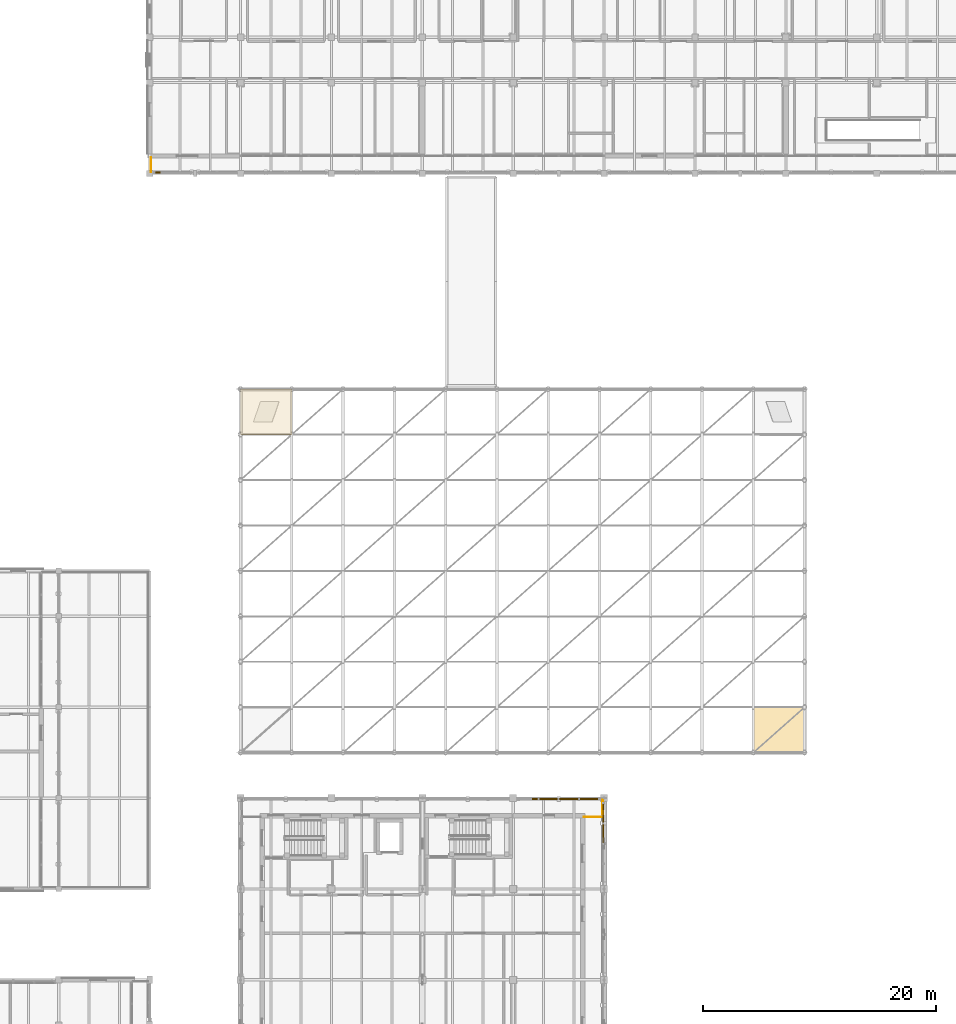
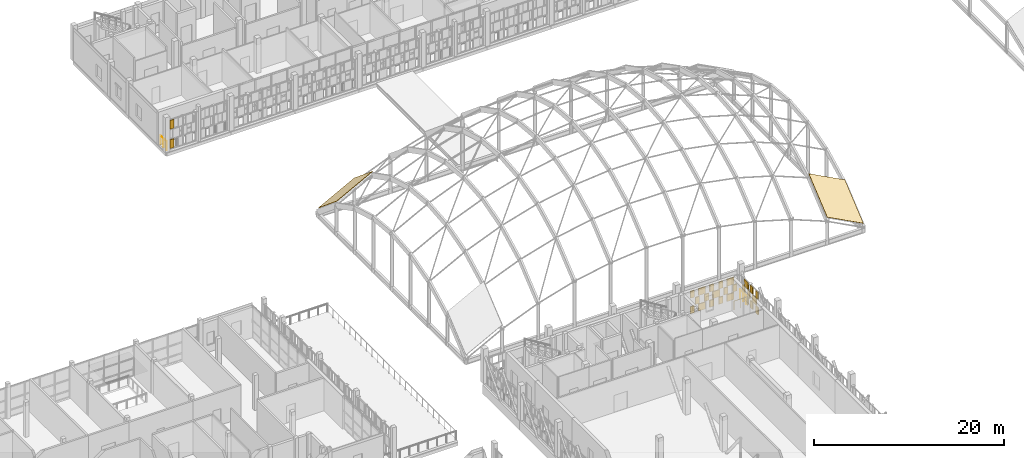
# One storey, part 112 of 119: 28 coverings, 3 railings.
"""IFC4 building model written with IfcOpenShell, lengths in metres."""

from ifc_helpers import new_model, si_unit, direction, frame, origin, origin_2d, place, context, subcontext, project, spatial, polyline, rectangle, circle, outline, extrude, material, layer, layer_set, type_object, element, save


model = new_model("IFC4")

# Units and contexts
model_context = context("Model", 3, precision=1e-05, world=origin(), true_north=direction((0.0, 1.0)))
body_context = subcontext(model_context, "Body", "Model", "MODEL_VIEW")
ifc_project = project(units=[si_unit("LENGTHUNIT", "METRE"), si_unit("AREAUNIT", "SQUARE_METRE"), si_unit("VOLUMEUNIT", "CUBIC_METRE"), si_unit("PLANEANGLEUNIT", "RADIAN"), si_unit("MASSUNIT", "GRAM", prefix="KILO")], contexts=[model_context])

# Site, building, storey
site_placement = place(None, origin())
site = spatial("IfcSite", under=ifc_project, at=site_placement, CompositionType="ELEMENT")
building_placement = place(site_placement, origin())
building = spatial("IfcBuilding", under=site, at=building_placement, Name="Celorna Specialist Clinic", CompositionType="ELEMENT")
storey_placement = place(building_placement, frame((0.0, 0.0, 9.60009765625)))
storey = spatial("IfcBuildingStorey", under=building, at=storey_placement, Name="L02", CompositionType="ELEMENT", Elevation=9.60009765625)

# Railings
ifc_material_1 = material(Name="Stainless steel and laminated glass balustrade", Category="steel")
railing_type = type_object("IfcRailingType", Name="BL-01", PredefinedType="BALUSTRADE", material=ifc_material_1)
railing_1_placement = place(storey_placement, frame((46.919921875, 96.6201171875, 0.0)))
element("IfcRailing", 1, at=railing_1_placement, inside=storey, type_object=railing_type, Name="Outpatient L02 Cloister Veranda perimeter balustrade 1", PredefinedType="BALUSTRADE", context=body_context, shape_type="SweptSolid", body=[
    extrude(circle(Radius=0.02392578125, at=origin_2d()), frame((0.0, 0.0, 1.09619140625), z_axis=(0.0, 1.0, 0.0), x_axis=(-1.0, 0.0, 0.0)), (0.0, 0.0, 1.0), 1.259765625),
    extrude(circle(Radius=0.02099609375, at=origin_2d()), origin(), (0.0, 0.0, 1.0), 1.072021484375),
    extrude(circle(Radius=0.02099609375, at=origin_2d()), frame((0.0, 0.6298828125, 0.0)), (0.0, 0.0, 1.0), 1.072021484375),
    extrude(circle(Radius=0.02099609375, at=origin_2d()), frame((0.0, 1.259765625, 0.0)), (0.0, 0.0, 1.0), 1.072021484375),
])
railing_2_placement = place(storey_placement, frame((84.070068359375, 41.280029296875, 0.0)))
element("IfcRailing", 2, at=railing_2_placement, inside=storey, type_object=railing_type, Name="Lecture Wing Cantilever Veranda L02 perimeter balustrade 6", PredefinedType="BALUSTRADE", context=body_context, shape_type="SweptSolid", body=[
    extrude(circle(Radius=0.02392578125, at=origin_2d()), frame((0.0, 0.0, 1.09619140625), z_axis=(1.0, 0.0, 0.0), x_axis=(0.0, 1.0, 0.0)), (0.0, 0.0, 1.0), 1.60986328125),
    extrude(circle(Radius=0.02099609375, at=origin_2d()), origin(), (0.0, 0.0, 1.0), 1.072021484375),
    extrude(circle(Radius=0.02099609375, at=origin_2d()), frame((0.804931640625, 0.0, 0.0)), (0.0, 0.0, 1.0), 1.072021484375),
    extrude(circle(Radius=0.02099609375, at=origin_2d()), frame((1.60986328125, 0.0, 0.0)), (0.0, 0.0, 1.0), 1.072021484375),
])
railing_3_placement = place(storey_placement, frame((85.679931640625, 42.780029296875, 0.0)))
element("IfcRailing", 3, at=railing_3_placement, inside=storey, type_object=railing_type, Name="Lecture Wing North Court Veranda L02 perimeter balustrade 3", PredefinedType="BALUSTRADE", context=body_context, shape_type="SweptSolid", body=[
    extrude(circle(Radius=0.02392578125, at=origin_2d()), frame((0.0, 0.0, 1.09619140625), z_axis=(0.0, -1.0, 0.0), x_axis=(1.0, 0.0, 0.0)), (0.0, 0.0, 1.0), 1.260009765625),
    extrude(circle(Radius=0.02099609375, at=origin_2d()), origin(), (0.0, 0.0, 1.0), 1.072021484375),
    extrude(circle(Radius=0.02099609375, at=origin_2d()), frame((0.0, -0.6298828125, 0.0)), (0.0, 0.0, 1.0), 1.072021484375),
    extrude(circle(Radius=0.02099609375, at=origin_2d()), frame((0.0, -1.260009765625, 0.0)), (0.0, 0.0, 1.0), 1.072021484375),
])

# Coverings
ifc_material_2 = material(Name="Perforated terracotta brick weave cladding", Category="masonry")
ifc_layer_1 = layer(ifc_material_2, 0.114990234375, Name="Perforated terracotta brick weave cladding")
ifc_layer_set_1 = layer_set([ifc_layer_1], Name="Perforated terracotta brick weave cladding")
covering_type_1 = type_object("IfcCoveringType", Name="CL-02", PredefinedType="CLADDING", material=ifc_layer_set_1)
for number, where, z_axis, x_axis, name in (
    (4, (85.72998046875, 39.305419921875, 0.099609375), (0.0, 0.0, 1.0), (0.0, 1.0, 0.0), "Woven perforated terracotta brick course #382"),
    (5, (85.72998046875, 40.424560546875, 0.099609375), (0.0, 0.0, 1.0), (0.0, 1.0, 0.0), "Woven perforated terracotta brick course #383"),
):
    element("IfcCovering", number, at=place(storey_placement, frame(where, z_axis=z_axis, x_axis=x_axis)), inside=storey, type_object=covering_type_1, Name=name, PredefinedType="CLADDING", context=body_context, shape_type="SweptSolid", body=[
        extrude(rectangle(XDim=0.4912109375, YDim=0.114990234375, at=origin_2d()), origin(), (0.0, 0.0, 1.0), 0.893310546875),
    ])
covering_1_placement = place(storey_placement, frame((85.72998046875, 39.864990234375, 1.09326171875), z_axis=(0.0, 0.0, 1.0), x_axis=(0.0, 1.0, 0.0)))
element("IfcCovering", 6, at=covering_1_placement, inside=storey, type_object=covering_type_1, Name="Woven perforated terracotta brick course #384", PredefinedType="CLADDING", context=body_context, shape_type="SweptSolid", body=[
    extrude(rectangle(XDim=0.869384765625, YDim=0.114990234375, at=origin_2d()), origin(), (0.0, 0.0, 1.0), 0.893310546875),
])
for number, where, z_axis, x_axis, name in (
    (7, (85.72998046875, 39.305419921875, 2.08642578125), (0.0, 0.0, 1.0), (0.0, 1.0, 0.0), "Woven perforated terracotta brick course #385"),
    (8, (85.72998046875, 40.424560546875, 2.08642578125), (0.0, 0.0, 1.0), (0.0, 1.0, 0.0), "Woven perforated terracotta brick course #386"),
):
    element("IfcCovering", number, at=place(storey_placement, frame(where, z_axis=z_axis, x_axis=x_axis)), inside=storey, type_object=covering_type_1, Name=name, PredefinedType="CLADDING", context=body_context, shape_type="SweptSolid", body=[
        extrude(rectangle(XDim=0.4912109375, YDim=0.114990234375, at=origin_2d()), origin(), (0.0, 0.0, 1.0), 0.893310546875),
    ])
covering_2_placement = place(storey_placement, frame((85.72998046875, 41.594970703125, 0.099609375), z_axis=(0.0, 0.0, 1.0), x_axis=(0.0, 1.0, 0.0)))
element("IfcCovering", 9, at=covering_2_placement, inside=storey, type_object=covering_type_1, Name="Woven perforated terracotta brick course #387", PredefinedType="CLADDING", context=body_context, shape_type="SweptSolid", body=[
    extrude(rectangle(XDim=0.869384765625, YDim=0.114990234375, at=origin_2d()), origin(), (0.0, 0.0, 1.0), 0.893310546875),
])
for number, where, z_axis, x_axis, name in (
    (10, (85.72998046875, 41.03564453125, 1.09326171875), (0.0, 0.0, 1.0), (0.0, 1.0, 0.0), "Woven perforated terracotta brick course #388"),
    (11, (85.72998046875, 42.154296875, 1.09326171875), (0.0, 0.0, 1.0), (0.0, 1.0, 0.0), "Woven perforated terracotta brick course #389"),
):
    element("IfcCovering", number, at=place(storey_placement, frame(where, z_axis=z_axis, x_axis=x_axis)), inside=storey, type_object=covering_type_1, Name=name, PredefinedType="CLADDING", context=body_context, shape_type="SweptSolid", body=[
        extrude(rectangle(XDim=0.4912109375, YDim=0.114990234375, at=origin_2d()), origin(), (0.0, 0.0, 1.0), 0.893310546875),
    ])
covering_3_placement = place(storey_placement, frame((85.72998046875, 41.594970703125, 2.08642578125), z_axis=(0.0, 0.0, 1.0), x_axis=(0.0, 1.0, 0.0)))
element("IfcCovering", 12, at=covering_3_placement, inside=storey, type_object=covering_type_1, Name="Woven perforated terracotta brick course #390", PredefinedType="CLADDING", context=body_context, shape_type="SweptSolid", body=[
    extrude(rectangle(XDim=0.869384765625, YDim=0.114990234375, at=origin_2d()), origin(), (0.0, 0.0, 1.0), 0.893310546875),
])
for number, where, z_axis, x_axis, name in (
    (13, (79.864501953125, 42.830078125, 0.099609375), (0.0, 0.0, 1.0), (1.0, 0.0, 0.0), "Woven perforated terracotta brick course #528"),
    (14, (79.864501953125, 42.830078125, 2.08642578125), (0.0, 0.0, 1.0), (1.0, 0.0, 0.0), "Woven perforated terracotta brick course #531"),
):
    element("IfcCovering", number, at=place(storey_placement, frame(where, z_axis=z_axis, x_axis=x_axis)), inside=storey, type_object=covering_type_1, Name=name, PredefinedType="CLADDING", context=body_context, shape_type="SweptSolid", body=[
        extrude(rectangle(XDim=0.4912109375, YDim=0.114990234375, at=origin_2d()), origin(), (0.0, 0.0, 1.0), 0.893310546875),
    ])
covering_4_placement = place(storey_placement, frame((81.034912109375, 42.830078125, 0.099609375), z_axis=(0.0, 0.0, 1.0), x_axis=(1.0, 0.0, 0.0)))
element("IfcCovering", 15, at=covering_4_placement, inside=storey, type_object=covering_type_1, Name="Woven perforated terracotta brick course #532", PredefinedType="CLADDING", context=body_context, shape_type="SweptSolid", body=[
    extrude(rectangle(XDim=0.869384765625, YDim=0.114990234375, at=origin_2d()), origin(), (0.0, 0.0, 1.0), 0.893310546875),
])
for number, where, z_axis, x_axis, name in (
    (16, (80.4755859375, 42.830078125, 1.09326171875), (0.0, 0.0, 1.0), (1.0, 0.0, 0.0), "Woven perforated terracotta brick course #533"),
    (17, (81.594482421875, 42.830078125, 1.09326171875), (0.0, 0.0, 1.0), (1.0, 0.0, 0.0), "Woven perforated terracotta brick course #534"),
):
    element("IfcCovering", number, at=place(storey_placement, frame(where, z_axis=z_axis, x_axis=x_axis)), inside=storey, type_object=covering_type_1, Name=name, PredefinedType="CLADDING", context=body_context, shape_type="SweptSolid", body=[
        extrude(rectangle(XDim=0.4912109375, YDim=0.114990234375, at=origin_2d()), origin(), (0.0, 0.0, 1.0), 0.893310546875),
    ])
covering_5_placement = place(storey_placement, frame((81.034912109375, 42.830078125, 2.08642578125), z_axis=(0.0, 0.0, 1.0), x_axis=(1.0, 0.0, 0.0)))
element("IfcCovering", 18, at=covering_5_placement, inside=storey, type_object=covering_type_1, Name="Woven perforated terracotta brick course #535", PredefinedType="CLADDING", context=body_context, shape_type="SweptSolid", body=[
    extrude(rectangle(XDim=0.869384765625, YDim=0.114990234375, at=origin_2d()), origin(), (0.0, 0.0, 1.0), 0.893310546875),
])
for number, where, z_axis, x_axis, name in (
    (19, (82.20556640625, 42.830078125, 0.099609375), (0.0, 0.0, 1.0), (1.0, 0.0, 0.0), "Woven perforated terracotta brick course #536"),
    (20, (83.324462890625, 42.830078125, 0.099609375), (0.0, 0.0, 1.0), (1.0, 0.0, 0.0), "Woven perforated terracotta brick course #537"),
):
    element("IfcCovering", number, at=place(storey_placement, frame(where, z_axis=z_axis, x_axis=x_axis)), inside=storey, type_object=covering_type_1, Name=name, PredefinedType="CLADDING", context=body_context, shape_type="SweptSolid", body=[
        extrude(rectangle(XDim=0.4912109375, YDim=0.114990234375, at=origin_2d()), origin(), (0.0, 0.0, 1.0), 0.893310546875),
    ])
covering_6_placement = place(storey_placement, frame((82.764892578125, 42.830078125, 1.09326171875), z_axis=(0.0, 0.0, 1.0), x_axis=(1.0, 0.0, 0.0)))
element("IfcCovering", 21, at=covering_6_placement, inside=storey, type_object=covering_type_1, Name="Woven perforated terracotta brick course #538", PredefinedType="CLADDING", context=body_context, shape_type="SweptSolid", body=[
    extrude(rectangle(XDim=0.869384765625, YDim=0.114990234375, at=origin_2d()), origin(), (0.0, 0.0, 1.0), 0.893310546875),
])
for number, where, z_axis, x_axis, name in (
    (22, (82.20556640625, 42.830078125, 2.08642578125), (0.0, 0.0, 1.0), (1.0, 0.0, 0.0), "Woven perforated terracotta brick course #539"),
    (23, (83.324462890625, 42.830078125, 2.08642578125), (0.0, 0.0, 1.0), (1.0, 0.0, 0.0), "Woven perforated terracotta brick course #540"),
):
    element("IfcCovering", number, at=place(storey_placement, frame(where, z_axis=z_axis, x_axis=x_axis)), inside=storey, type_object=covering_type_1, Name=name, PredefinedType="CLADDING", context=body_context, shape_type="SweptSolid", body=[
        extrude(rectangle(XDim=0.4912109375, YDim=0.114990234375, at=origin_2d()), origin(), (0.0, 0.0, 1.0), 0.893310546875),
    ])
covering_7_placement = place(storey_placement, frame((84.4951171875, 42.830078125, 0.099609375), z_axis=(0.0, 0.0, 1.0), x_axis=(1.0, 0.0, 0.0)))
element("IfcCovering", 24, at=covering_7_placement, inside=storey, type_object=covering_type_1, Name="Woven perforated terracotta brick course #541", PredefinedType="CLADDING", context=body_context, shape_type="SweptSolid", body=[
    extrude(rectangle(XDim=0.869384765625, YDim=0.114990234375, at=origin_2d()), origin(), (0.0, 0.0, 1.0), 0.893310546875),
])
for number, where, z_axis, x_axis, name in (
    (25, (83.935546875, 42.830078125, 1.09326171875), (0.0, 0.0, 1.0), (1.0, 0.0, 0.0), "Woven perforated terracotta brick course #542"),
    (26, (85.054443359375, 42.830078125, 1.09326171875), (0.0, 0.0, 1.0), (1.0, 0.0, 0.0), "Woven perforated terracotta brick course #543"),
):
    element("IfcCovering", number, at=place(storey_placement, frame(where, z_axis=z_axis, x_axis=x_axis)), inside=storey, type_object=covering_type_1, Name=name, PredefinedType="CLADDING", context=body_context, shape_type="SweptSolid", body=[
        extrude(rectangle(XDim=0.4912109375, YDim=0.114990234375, at=origin_2d()), origin(), (0.0, 0.0, 1.0), 0.893310546875),
    ])
covering_8_placement = place(storey_placement, frame((84.4951171875, 42.830078125, 2.08642578125), z_axis=(0.0, 0.0, 1.0), x_axis=(1.0, 0.0, 0.0)))
element("IfcCovering", 27, at=covering_8_placement, inside=storey, type_object=covering_type_1, Name="Woven perforated terracotta brick course #544", PredefinedType="CLADDING", context=body_context, shape_type="SweptSolid", body=[
    extrude(rectangle(XDim=0.869384765625, YDim=0.114990234375, at=origin_2d()), origin(), (0.0, 0.0, 1.0), 0.893310546875),
])
for number, where, z_axis, x_axis, name in (
    (28, (47.500244140625, 96.570068359375, 0.10009765625), (0.0, 0.0, 1.0), (1.0, 0.0, 0.0), "Woven perforated terracotta brick course #860"),
    (29, (47.500244140625, 96.570068359375, 2.59326171875), (0.0, 0.0, 1.0), (1.0, 0.0, 0.0), "Woven perforated terracotta brick course #863"),
):
    element("IfcCovering", number, at=place(storey_placement, frame(where, z_axis=z_axis, x_axis=x_axis)), inside=storey, type_object=covering_type_1, Name=name, PredefinedType="CLADDING", context=body_context, shape_type="SweptSolid", body=[
        extrude(rectangle(XDim=0.45068359375, YDim=0.114990234375, at=origin_2d()), origin(), (0.0, 0.0, 1.0), 1.146728515625),
    ])
ifc_material_3 = material(Name="Standing-seam zinc and EPDM acoustic roofing membrane")
ifc_layer_2 = layer(ifc_material_3, 0.0400390625, Name="Standing-seam zinc and EPDM acoustic roofing membrane")
ifc_layer_set_2 = layer_set([ifc_layer_2], Name="Standing-seam zinc and EPDM acoustic roofing membrane")
covering_type_2 = type_object("IfcCoveringType", Name="RFG-01", PredefinedType="ROOFING", material=ifc_layer_set_2)
covering_9_placement = place(storey_placement, frame((54.60009765625, 74.10009765625, 4.372802734375), z_axis=(-0.377044351271, 0.592167971342, 0.712161955521), x_axis=(0.883782525375, 1.0340448e-05, 0.46789790311)))
element("IfcCovering", 30, at=covering_9_placement, inside=storey, type_object=covering_type_2, Name="GSH-V1 gridshell standing-seam roofing 1-8", PredefinedType="ROOFING", context=body_context, shape_type="SweptSolid", body=[
    extrude(outline(polyline([(0.0, 0.0), (4.97845277487355, 0.0), (3.461251903099378, 4.839657634608282), (-1.517315104660674, 4.839785405995969), (0.0, 0.0)])), origin(), (0.0, 0.0, -1.0), 0.0400390625),
])
covering_10_placement = place(storey_placement, frame((98.60009765625, 46.800048828125, 3.45947265625), z_axis=(0.377044351271, -0.592167971342, 0.712161955521), x_axis=(0.883775414362, -1.0340211e-05, -0.467911334403)))
element("IfcCovering", 31, at=covering_10_placement, inside=storey, type_object=covering_type_2, Name="GSH-V1 gridshell standing-seam roofing 11-1", PredefinedType="ROOFING", context=body_context, shape_type="SweptSolid", body=[
    extrude(outline(polyline([(0.0, 0.0), (4.978567009399633, 0.0), (3.4611276955822867, 4.839746463587173), (-1.51732507765172, 4.839618695131234), (0.0, 0.0)])), origin(), (0.0, 0.0, -1.0), 0.0400390625),
])

save(model, "model.ifc")
